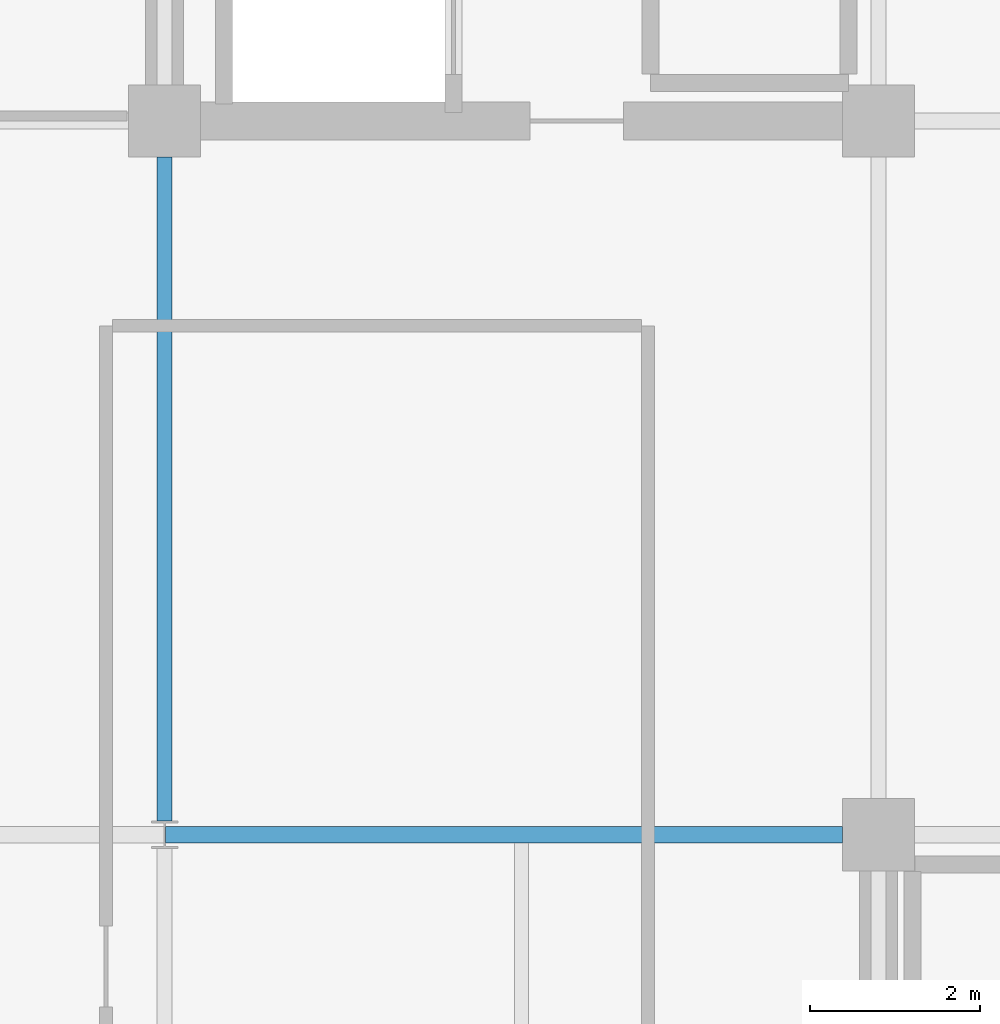
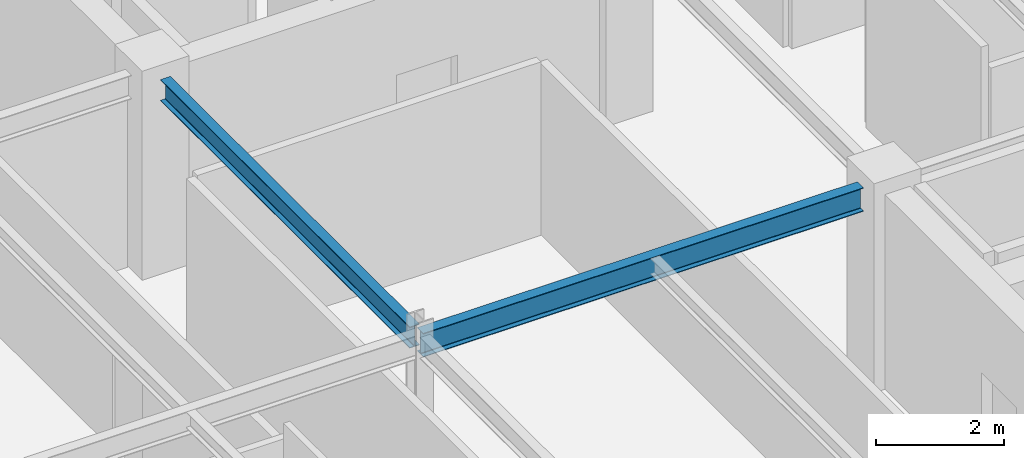
# One storey, part 10 of 27: 2 beams.
"""IFC4 building model written with IfcOpenShell, lengths in metres."""

from ifc_helpers import new_model, si_unit, direction, frame, origin, origin_2d, place, context, subcontext, project, spatial, i_section, extrude, material, material_profile, profile_set, type_object, element, save


model = new_model("IFC4")

# Units and contexts
model_context = context("Model", 3, precision=1e-05, world=origin(), true_north=direction((0.0, 1.0)))
body_context = subcontext(model_context, "Body", "Model", "MODEL_VIEW")
ifc_project = project(units=[si_unit("LENGTHUNIT", "METRE"), si_unit("AREAUNIT", "SQUARE_METRE"), si_unit("VOLUMEUNIT", "CUBIC_METRE"), si_unit("PLANEANGLEUNIT", "RADIAN"), si_unit("MASSUNIT", "GRAM", prefix="KILO")], contexts=[model_context])

# Site, building, storey
site_placement = place(None, origin())
site = spatial("IfcSite", under=ifc_project, at=site_placement, CompositionType="ELEMENT")
building_placement = place(site_placement, origin())
building = spatial("IfcBuilding", under=site, at=building_placement, Name="Nerrivon Quay Data Exchange", CompositionType="ELEMENT")
storey_placement = place(building_placement, frame((0.0, 0.0, 278.199951171875)))
storey = spatial("IfcBuildingStorey", under=building, at=storey_placement, Name="L66", CompositionType="ELEMENT", Elevation=278.199951171875)

# Beams
ifc_material = material(Name="Steel Grade 350", Category="steel")
ifc_material_profile_1 = material_profile(ifc_material, i_section(OverallWidth=0.18994140625, OverallDepth=0.4541015625, WebThickness=0.008544921875, FlangeThickness=0.0126953125, FilletRadius=0.011474609375, at=origin_2d()), Name="460UB67.1")
ifc_profile_set_1 = profile_set([ifc_material_profile_1], Name="Steel Grade 350")
beam_type_1 = type_object("IfcBeamType", Name="BM-G6-460UB67", PredefinedType="BEAM", material=ifc_profile_set_1)
beam_1_placement = place(storey_placement, frame((8.40771484375, 16.800048828125, 3.498046875), z_axis=(1.0, 0.0, 0.0), x_axis=(0.0, 1.0, 0.0)))
element("IfcBeam", 1, at=beam_1_placement, inside=storey, type_object=beam_type_1, Name="L66 EW Girder Y=16.8 (8.4..16.8)", PredefinedType="BEAM", context=body_context, shape_type="SweptSolid", body=[
    extrude(i_section(OverallWidth=0.18994140625, OverallDepth=0.4541015625, WebThickness=0.008544921875, FlangeThickness=0.0126953125, FilletRadius=0.011474609375, at=origin_2d()), origin(), (0.0, 0.0, 1.0), 7.96728515625),
])
ifc_material_profile_2 = material_profile(ifc_material, i_section(OverallWidth=0.177978515625, OverallDepth=0.406005859375, WebThickness=0.0078125, FlangeThickness=0.0126953125, FilletRadius=0.011474609375, at=origin_2d()), Name="410UB59.7")
ifc_profile_set_2 = profile_set([ifc_material_profile_2], Name="Steel Grade 350")
beam_type_2 = type_object("IfcBeamType", Name="BM-J1-410UB60", PredefinedType="JOIST", material=ifc_profile_set_2)
beam_2_placement = place(storey_placement, frame((8.39990234375, 16.96337890625, 3.52197265625), z_axis=(0.0, 1.0, 0.0), x_axis=(-1.0, 0.0, 0.0)))
element("IfcBeam", 2, at=beam_2_placement, inside=storey, type_object=beam_type_2, Name="L66 NS Girder X=8.4 (16.8..25.2)", PredefinedType="JOIST", context=body_context, shape_type="SweptSolid", body=[
    extrude(i_section(OverallWidth=0.177978515625, OverallDepth=0.406005859375, WebThickness=0.0078125, FlangeThickness=0.0126953125, FilletRadius=0.011474609375, at=origin_2d()), origin(), (0.0, 0.0, 1.0), 7.8115234375),
])

save(model, "model.ifc")
